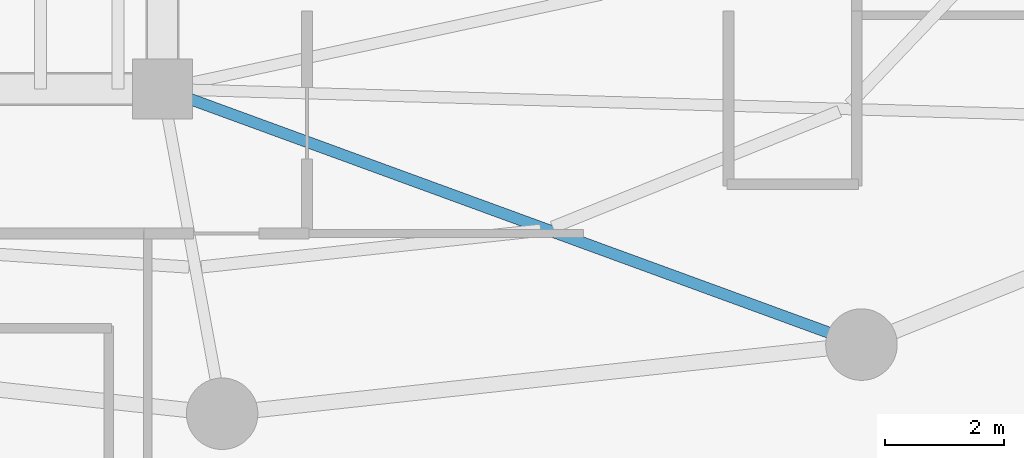
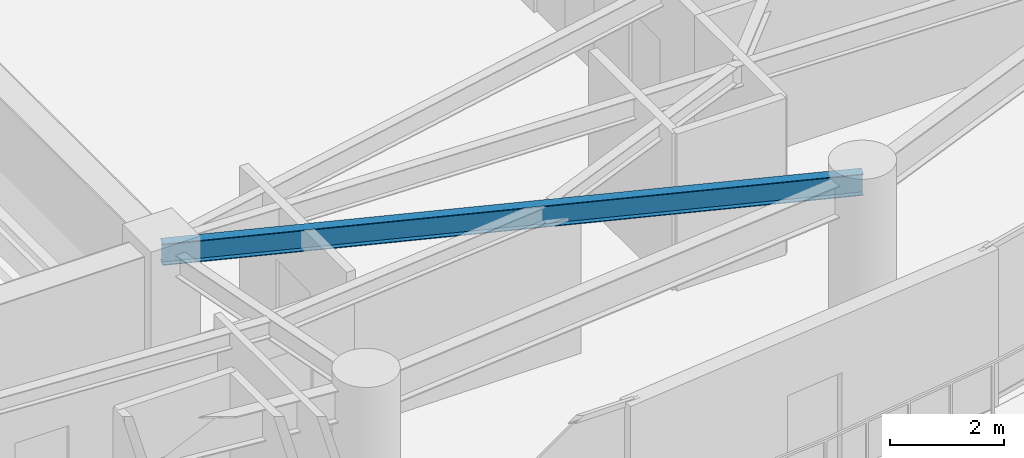
# One storey, part 11 of 34: 1 beam.
"""IFC4 building model written with IfcOpenShell, lengths in metres."""

from ifc_helpers import new_model, si_unit, direction, frame, origin, origin_2d, place, context, subcontext, project, spatial, i_section, extrude, material, material_profile, profile_set, type_object, element, save


model = new_model("IFC4")

# Units and contexts
model_context = context("Model", 3, precision=1e-05, world=origin(), true_north=direction((0.0, 1.0)))
body_context = subcontext(model_context, "Body", "Model", "MODEL_VIEW")
ifc_project = project(units=[si_unit("LENGTHUNIT", "METRE"), si_unit("AREAUNIT", "SQUARE_METRE"), si_unit("VOLUMEUNIT", "CUBIC_METRE"), si_unit("PLANEANGLEUNIT", "RADIAN"), si_unit("MASSUNIT", "GRAM", prefix="KILO")], contexts=[model_context])

# Site, building, storey
site_placement = place(None, origin())
site = spatial("IfcSite", under=ifc_project, at=site_placement, CompositionType="ELEMENT")
building_placement = place(site_placement, origin())
building = spatial("IfcBuilding", under=site, at=building_placement, Name="Kazevale Care Tower and Concert Hall", CompositionType="ELEMENT")
storey_placement = place(building_placement, frame((0.0, 0.0, 171.0)))
storey = spatial("IfcBuildingStorey", under=building, at=storey_placement, Name="L45", CompositionType="ELEMENT", Elevation=171.0)

# Beam
ifc_material = material(Name="Steel ASTM A572 Gr 50", Category="steel")
ifc_material_profile = material_profile(ifc_material, i_section(OverallWidth=0.19091796875, OverallDepth=0.4599609375, WebThickness=0.010009765625, FlangeThickness=0.01611328125, at=origin_2d()), Name="W460x82")
ifc_profile_set = profile_set([ifc_material_profile], Name="Steel ASTM A572 Gr 50")
beam_type = type_object("IfcBeamType", Name="Radial Floor Beam W460x82", PredefinedType="BEAM", material=ifc_profile_set)
beam_placement = place(storey_placement, frame((44.0, 23.60009765625, 3.1298828125), z_axis=(0.939159459123, -0.343481455599, 0.0), x_axis=(0.343481455599, 0.939159459123, 0.0)))
element("IfcBeam", 1, at=beam_placement, inside=storey, type_object=beam_type, Name="beam:L45:rad:14", PredefinedType="BEAM", context=body_context, shape_type="SweptSolid", body=[
    extrude(i_section(OverallWidth=0.19091796875, OverallDepth=0.4599609375, WebThickness=0.010009765625, FlangeThickness=0.01611328125, at=origin_2d()), origin(), (0.0, 0.0, 1.0), 12.489990234375),
])

save(model, "model.ifc")
